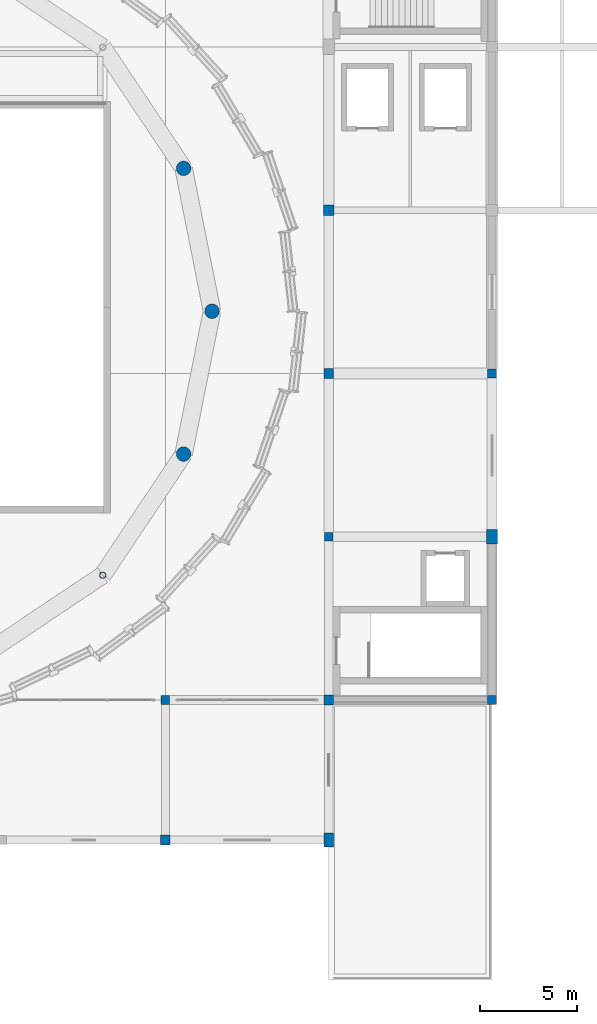
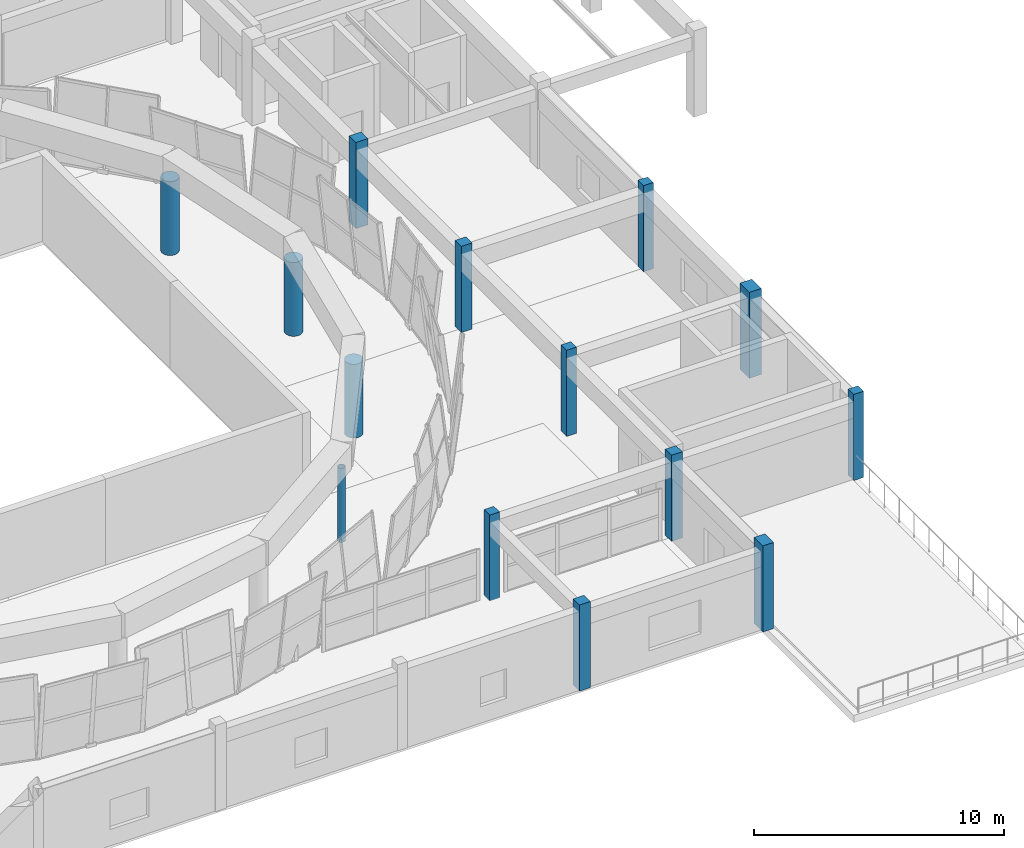
# One storey, part 4 of 40: 14 columns.
"""IFC4 building model written with IfcOpenShell, lengths in metres."""

from ifc_helpers import new_model, si_unit, direction, frame, origin, origin_2d, place, context, subcontext, project, spatial, rectangle, circle, hollow_circle, extrude, material, material_profile, profile_set, type_object, element, save


model = new_model("IFC4")

# Units and contexts
model_context = context("Model", 3, precision=1e-05, world=origin(), true_north=direction((0.0, 1.0)))
body_context = subcontext(model_context, "Body", "Model", "MODEL_VIEW")
ifc_project = project(units=[si_unit("LENGTHUNIT", "METRE"), si_unit("AREAUNIT", "SQUARE_METRE"), si_unit("VOLUMEUNIT", "CUBIC_METRE"), si_unit("PLANEANGLEUNIT", "RADIAN"), si_unit("MASSUNIT", "GRAM", prefix="KILO")], contexts=[model_context])

# Site, building, storey
site_placement = place(None, origin())
site = spatial("IfcSite", under=ifc_project, at=site_placement, CompositionType="ELEMENT")
building_placement = place(site_placement, origin())
building = spatial("IfcBuilding", under=site, at=building_placement, Name="Korsvaeld Concert Hall", CompositionType="ELEMENT")
storey_placement = place(building_placement, frame((0.0, 0.0, 13.199951171875)))
storey = spatial("IfcBuildingStorey", under=building, at=storey_placement, Name="L03", CompositionType="ELEMENT", Elevation=13.199951171875)

# Columns
ifc_material_1 = material(Name="Concrete C40/50", Category="concrete")
ifc_material_profile_1 = material_profile(ifc_material_1, circle(Radius=0.375, at=origin_2d()), Name="RC D750")
ifc_profile_set_1 = profile_set([ifc_material_profile_1], Name="Concrete C40/50")
column_type_1 = type_object("IfcColumnType", Name="COL-DRUM-D750", PredefinedType="COLUMN", material=ifc_profile_set_1)
for number, where, z_axis, x_axis, name in (
    (1, (103.199951171875, 63.199951171875, 0.0), (0.0, 0.0, 1.0), (1.0, 0.0, 0.0), "Drum column D01 L03"),
    (2, (101.738525390625, 70.547607421875, 0.0), (0.0, 0.0, 1.0), (1.0, 0.0, 0.0), "Drum column D02 L03"),
    (3, (101.738525390625, 55.8525390625, 0.0), (0.0, 0.0, 1.0), (1.0, 0.0, 0.0), "Drum column D16 L03"),
):
    element("IfcColumn", number, at=place(storey_placement, frame(where, z_axis=z_axis, x_axis=x_axis)), inside=storey, type_object=column_type_1, Name=name, PredefinedType="COLUMN", context=body_context, shape_type="SweptSolid", body=[
        extrude(circle(Radius=0.375, at=origin_2d()), origin(), (0.0, 0.0, 1.0), 3.60009765625),
    ])
ifc_material_profile_2 = material_profile(ifc_material_1, rectangle(XDim=0.449951171875, YDim=0.449951171875, at=origin_2d()), Name="RC 450x450")
ifc_profile_set_2 = profile_set([ifc_material_profile_2], Name="Concrete C40/50")
column_type_2 = type_object("IfcColumnType", Name="COL-RC-450x450", PredefinedType="COLUMN", material=ifc_profile_set_2)
for number, where, z_axis, x_axis, name in (
    (4, (100.800048828125, 43.199951171875, 0.0), (0.0, 0.0, 1.0), (1.0, 0.0, 0.0), "Column 14/G L03"),
    (5, (109.199951171875, 51.60009765625, 0.0), (0.0, 0.0, 1.0), (1.0, 0.0, 0.0), "Column 15/H L03"),
    (6, (117.60009765625, 43.199951171875, 0.0), (0.0, 0.0, 1.0), (1.0, 0.0, 0.0), "Column 16/G L03"),
    (7, (117.60009765625, 60.0, 0.0), (0.0, 0.0, 1.0), (1.0, 0.0, 0.0), "Column 16/J L03"),
):
    element("IfcColumn", number, at=place(storey_placement, frame(where, z_axis=z_axis, x_axis=x_axis)), inside=storey, type_object=column_type_2, Name=name, PredefinedType="COLUMN", context=body_context, shape_type="SweptSolid", body=[
        extrude(rectangle(XDim=0.449951171875, YDim=0.449951171875, at=origin_2d()), origin(), (0.0, 0.0, 1.0), 4.199951171875),
    ])
ifc_material_profile_3 = material_profile(ifc_material_1, rectangle(XDim=0.5, YDim=0.5, at=origin_2d()), Name="RC 500x500")
ifc_profile_set_3 = profile_set([ifc_material_profile_3], Name="Concrete C40/50")
column_type_3 = type_object("IfcColumnType", Name="COL-RC-500x500", PredefinedType="COLUMN", material=ifc_profile_set_3)
for number, where, z_axis, x_axis, name in (
    (8, (100.800048828125, 36.0, 0.0), (0.0, 0.0, 1.0), (1.0, 0.0, 0.0), "Column 14/F L03"),
    (9, (109.199951171875, 43.199951171875, 0.0), (0.0, 0.0, 1.0), (1.0, 0.0, 0.0), "Column 15/G L03"),
    (10, (109.199951171875, 60.0, 0.0), (0.0, 0.0, 1.0), (1.0, 0.0, 0.0), "Column 15/J L03"),
):
    element("IfcColumn", number, at=place(storey_placement, frame(where, z_axis=z_axis, x_axis=x_axis)), inside=storey, type_object=column_type_3, Name=name, PredefinedType="COLUMN", context=body_context, shape_type="SweptSolid", body=[
        extrude(rectangle(XDim=0.5, YDim=0.5, at=origin_2d()), origin(), (0.0, 0.0, 1.0), 4.199951171875),
    ])
ifc_material_profile_4 = material_profile(ifc_material_1, rectangle(XDim=0.5, YDim=0.699951171875, at=origin_2d()), Name="RC 500x700")
ifc_profile_set_4 = profile_set([ifc_material_profile_4], Name="Concrete C40/50")
column_type_4 = type_object("IfcColumnType", Name="COL-RC-500x700", PredefinedType="COLUMN", material=ifc_profile_set_4)
column_1_placement = place(storey_placement, frame((109.199951171875, 36.0, 0.0), z_axis=(0.0, 0.0, 1.0), x_axis=(1.0, 0.0, 0.0)))
element("IfcColumn", 11, at=column_1_placement, inside=storey, type_object=column_type_4, Name="Column 15/F L03", PredefinedType="COLUMN", context=body_context, shape_type="SweptSolid", body=[
    extrude(rectangle(XDim=0.5, YDim=0.699951171875, at=origin_2d()), origin(), (0.0, 0.0, 1.0), 4.199951171875),
])
ifc_material_profile_5 = material_profile(ifc_material_1, rectangle(XDim=0.550048828125, YDim=0.550048828125, at=origin_2d()), Name="RC 550x550")
ifc_profile_set_5 = profile_set([ifc_material_profile_5], Name="Concrete C40/50")
column_type_5 = type_object("IfcColumnType", Name="COL-RC-550x550", PredefinedType="COLUMN", material=ifc_profile_set_5)
column_2_placement = place(storey_placement, frame((109.199951171875, 68.39990234375, 0.0), z_axis=(0.0, 0.0, 1.0), x_axis=(1.0, 0.0, 0.0)))
element("IfcColumn", 12, at=column_2_placement, inside=storey, type_object=column_type_5, Name="Column 15/K L03", PredefinedType="COLUMN", context=body_context, shape_type="SweptSolid", body=[
    extrude(rectangle(XDim=0.550048828125, YDim=0.550048828125, at=origin_2d()), origin(), (0.0, 0.0, 1.0), 4.199951171875),
])
ifc_material_profile_6 = material_profile(ifc_material_1, rectangle(XDim=0.550048828125, YDim=0.75, at=origin_2d()), Name="RC 550x750")
ifc_profile_set_6 = profile_set([ifc_material_profile_6], Name="Concrete C40/50")
column_type_6 = type_object("IfcColumnType", Name="COL-RC-550x750", PredefinedType="COLUMN", material=ifc_profile_set_6)
column_3_placement = place(storey_placement, frame((117.60009765625, 51.60009765625, 0.0), z_axis=(0.0, 0.0, 1.0), x_axis=(1.0, 0.0, 0.0)))
element("IfcColumn", 13, at=column_3_placement, inside=storey, type_object=column_type_6, Name="Column 16/H L03", PredefinedType="COLUMN", context=body_context, shape_type="SweptSolid", body=[
    extrude(rectangle(XDim=0.550048828125, YDim=0.75, at=origin_2d()), origin(), (0.0, 0.0, 1.0), 4.199951171875),
])
ifc_material_2 = material(Name="Steel S355J2", Category="steel")
ifc_material_profile_7 = material_profile(ifc_material_2, hollow_circle(Radius=0.161865234375, WallThickness=0.012451171875, at=origin_2d()), Name="CHS 323.9x12.5")
ifc_profile_set_7 = profile_set([ifc_material_profile_7], Name="Steel S355J2")
column_type_7 = type_object("IfcColumnType", Name="COL-STL-CHS323", PredefinedType="COLUMN", material=ifc_profile_set_7)
column_4_placement = place(storey_placement, frame((97.576416015625, 49.62353515625, 0.0), z_axis=(0.0, 0.0, 1.0), x_axis=(1.0, 0.0, 0.0)))
element("IfcColumn", 14, at=column_4_placement, inside=storey, type_object=column_type_7, Name="Drum column D15 L03", PredefinedType="COLUMN", context=body_context, shape_type="SweptSolid", body=[
    extrude(hollow_circle(Radius=0.161865234375, WallThickness=0.012451171875, at=origin_2d()), origin(), (0.0, 0.0, 1.0), 3.60009765625),
])

save(model, "model.ifc")
